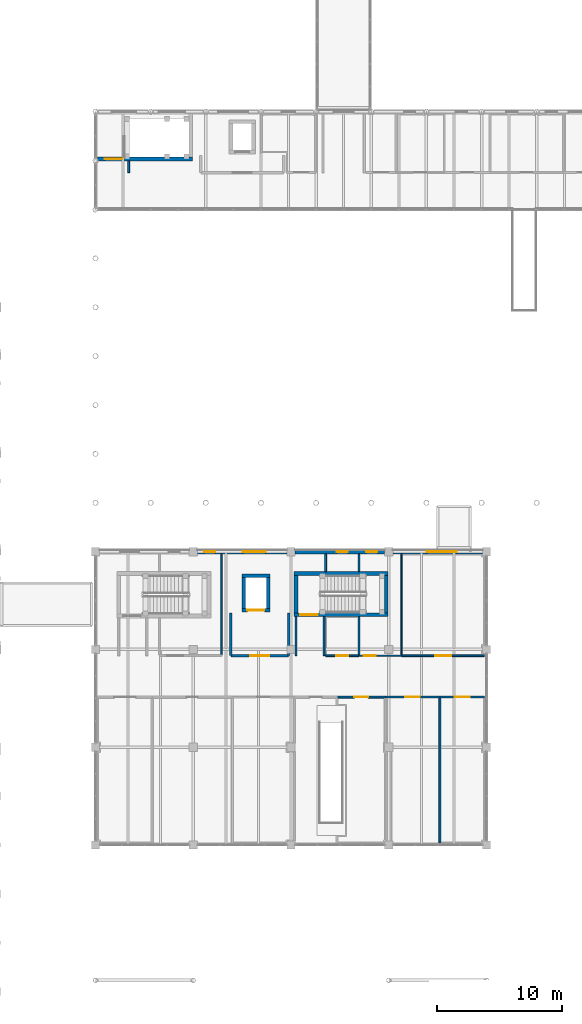
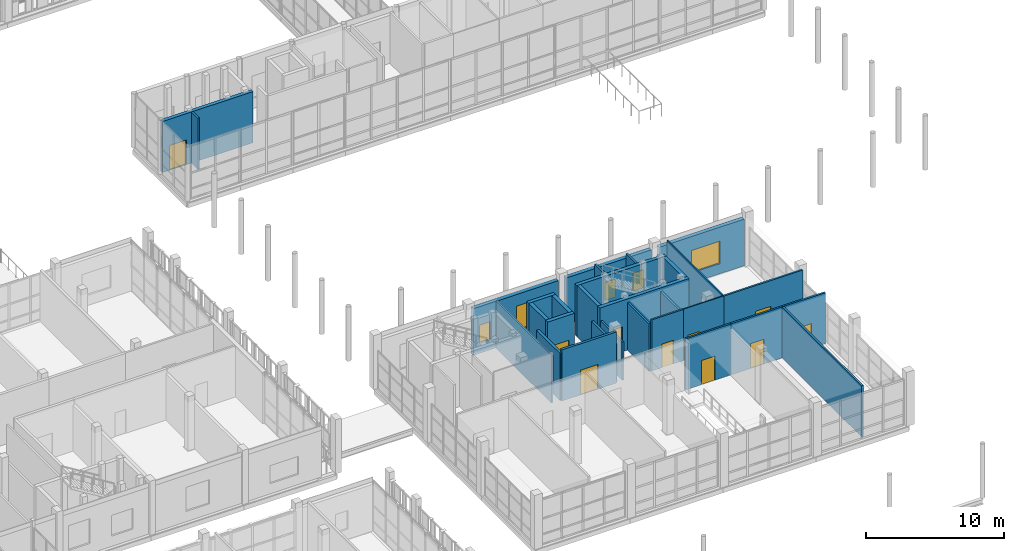
# One storey, part 105 of 138: 30 walls, 10 doors, 5 windows, 15 openings.
"""IFC4 building model written with IfcOpenShell, lengths in metres."""

from ifc_helpers import new_model, si_unit, direction, frame, frame_2d, origin, place, context, subcontext, project, spatial, rectangle, extrude, material, layer, layer_set, type_object, element, fill, save


model = new_model("IFC4")

# Units and contexts
model_context = context("Model", 3, precision=1e-05, world=origin(), true_north=direction((0.0, 1.0)))
body_context = subcontext(model_context, "Body", "Model", "MODEL_VIEW")
ifc_project = project(units=[si_unit("LENGTHUNIT", "METRE"), si_unit("AREAUNIT", "SQUARE_METRE"), si_unit("VOLUMEUNIT", "CUBIC_METRE"), si_unit("PLANEANGLEUNIT", "RADIAN"), si_unit("MASSUNIT", "GRAM", prefix="KILO")], contexts=[model_context])

# Site, building, storey
site_placement = place(None, origin())
site = spatial("IfcSite", under=ifc_project, at=site_placement, CompositionType="ELEMENT")
building_placement = place(site_placement, origin())
building = spatial("IfcBuilding", under=site, at=building_placement, Name="Celorna Specialist Clinic", CompositionType="ELEMENT")
storey_placement = place(building_placement, frame((0.0, 0.0, 4.800048828125)))
storey = spatial("IfcBuildingStorey", under=building, at=storey_placement, Name="L01", CompositionType="ELEMENT", Elevation=4.800048828125)

# Wall, openings, windows
ifc_material_1 = material(Name="Pero Pinheiro Lioz limestone insulated masonry", Category="masonry")
ifc_layer_1 = layer(ifc_material_1, 0.340087890625, Name="Pero Pinheiro Lioz limestone insulated masonry")
ifc_layer_set_1 = layer_set([ifc_layer_1], Name="Pero Pinheiro Lioz limestone insulated masonry")
wall_type_1 = type_object("IfcWallType", Name="WT-07", PredefinedType="STANDARD", material=ifc_layer_set_1)
wall_1_placement = place(storey_placement, frame((62.72509765625, 42.89990234375, 0.0), z_axis=(0.0, 0.0, 1.0), x_axis=(1.0, 0.0, 0.0)))
wall_1 = element("IfcWall", 1, at=wall_1_placement, inside=storey, type_object=wall_type_1, Name="External facade wall WT-07 #388", PredefinedType="STANDARD", context=body_context, shape_type="SweptSolid", body=[
    extrude(rectangle(XDim=7.14990234375, YDim=0.340087890625, at=frame_2d((3.574951171875, 0.0))), origin(), (0.0, 0.0, 1.0), 4.139892578125),
])
opening_1_placement = place(wall_1_placement, frame((0.532470703125, 0.0, 0.89990234375)))
opening_1 = element("IfcOpeningElement", 2, at=opening_1_placement, cuts=wall_1, Name="Opening WN-01", PredefinedType="OPENING", context=body_context, shape_type="SweptSolid", body=[
    extrude(rectangle(XDim=0.89990234375, YDim=1.60009765625, at=frame_2d((0.449951171875, 0.800048828125))), frame((0.0, 0.179931640625, 0.0), z_axis=(0.0, -1.0, 0.0), x_axis=(1.0, 0.0, 0.0)), (0.0, 0.0, 1.0), 0.360107421875),
])
opening_2_placement = place(wall_1_placement, frame((3.637451171875, 0.0, 0.89990234375)))
opening_2 = element("IfcOpeningElement", 3, at=opening_2_placement, cuts=wall_1, Name="Opening WN-14", PredefinedType="OPENING", context=body_context, shape_type="SweptSolid", body=[
    extrude(rectangle(XDim=1.800048828125, YDim=2.199951171875, at=frame_2d((0.89990234375, 1.10009765625))), frame((0.0, 0.179931640625, 0.0), z_axis=(0.0, -1.0, 0.0), x_axis=(1.0, 0.0, 0.0)), (0.0, 0.0, 1.0), 0.360107421875),
])
ifc_material_2 = material(Name="Thermally broken aluminium triple-glazed window", Category="aluminium")
window_type_1 = type_object("IfcWindowType", Name="WN-01", PartitioningType="SINGLE_PANEL", PredefinedType="WINDOW", material=ifc_material_2)
window_1_placement = place(opening_1_placement, origin())
window_1 = element("IfcWindow", 4, at=window_1_placement, inside=storey, type_object=window_type_1, Name="Facade window WN-01 #249", OverallHeight=1.60009765625, OverallWidth=0.89990234375, PartitioningType="SINGLE_PANEL", PredefinedType="WINDOW", context=body_context, shape_type="SweptSolid", body=[
    extrude(rectangle(XDim=0.89990234375, YDim=1.60009765625, at=frame_2d((0.449951171875, 0.800048828125))), frame((0.0, 0.030029296875, 0.0), z_axis=(0.0, -1.0, 0.0), x_axis=(1.0, 0.0, 0.0)), (0.0, 0.0, 1.0), 0.06005859375),
])
fill(opening_1, window_1)
window_type_2 = type_object("IfcWindowType", Name="WN-14", PartitioningType="SINGLE_PANEL", PredefinedType="WINDOW", material=ifc_material_2)
window_2_placement = place(opening_2_placement, origin())
window_2 = element("IfcWindow", 5, at=window_2_placement, inside=storey, type_object=window_type_2, Name="Facade window WN-14 #250", OverallHeight=2.199951171875, OverallWidth=1.800048828125, PartitioningType="SINGLE_PANEL", PredefinedType="WINDOW", context=body_context, shape_type="SweptSolid", body=[
    extrude(rectangle(XDim=1.800048828125, YDim=2.199951171875, at=frame_2d((0.89990234375, 1.10009765625))), frame((0.0, 0.030029296875, 0.0), z_axis=(0.0, -1.0, 0.0), x_axis=(1.0, 0.0, 0.0)), (0.0, 0.0, 1.0), 0.06005859375),
])
fill(opening_2, window_2)

wall_2_placement = place(storey_placement, frame((70.52490234375, 42.89990234375, 0.0), z_axis=(0.0, 0.0, 1.0), x_axis=(1.0, 0.0, 0.0)))
wall_2 = element("IfcWall", 6, at=wall_2_placement, inside=storey, type_object=wall_type_1, Name="External facade wall WT-07 #389", PredefinedType="STANDARD", context=body_context, shape_type="SweptSolid", body=[
    extrude(rectangle(XDim=7.150146484375, YDim=0.340087890625, at=frame_2d((3.5751953125, 0.0))), origin(), (0.0, 0.0, 1.0), 4.139892578125),
])
opening_3_placement = place(wall_2_placement, frame((3.31494140625, 0.0, 0.89990234375)))
opening_3 = element("IfcOpeningElement", 7, at=opening_3_placement, cuts=wall_2, Name="Opening WN-01", PredefinedType="OPENING", context=body_context, shape_type="SweptSolid", body=[
    extrude(rectangle(XDim=0.89990234375, YDim=1.60009765625, at=frame_2d((0.449951171875, 0.800048828125))), frame((0.0, 0.179931640625, 0.0), z_axis=(0.0, -1.0, 0.0), x_axis=(1.0, 0.0, 0.0)), (0.0, 0.0, 1.0), 0.360107421875),
])
opening_4_placement = place(wall_2_placement, frame((5.66259765625, 0.0, 0.89990234375)))
opening_4 = element("IfcOpeningElement", 8, at=opening_4_placement, cuts=wall_2, Name="Opening WN-01", PredefinedType="OPENING", context=body_context, shape_type="SweptSolid", body=[
    extrude(rectangle(XDim=0.89990234375, YDim=1.60009765625, at=frame_2d((0.449951171875, 0.800048828125))), frame((0.0, 0.179931640625, 0.0), z_axis=(0.0, -1.0, 0.0), x_axis=(1.0, 0.0, 0.0)), (0.0, 0.0, 1.0), 0.360107421875),
])
window_3_placement = place(opening_3_placement, origin())
window_3 = element("IfcWindow", 9, at=window_3_placement, inside=storey, type_object=window_type_1, Name="Facade window WN-01 #251", OverallHeight=1.60009765625, OverallWidth=0.89990234375, PartitioningType="SINGLE_PANEL", PredefinedType="WINDOW", context=body_context, shape_type="SweptSolid", body=[
    extrude(rectangle(XDim=0.89990234375, YDim=1.60009765625, at=frame_2d((0.449951171875, 0.800048828125))), frame((0.0, 0.030029296875, 0.0), z_axis=(0.0, -1.0, 0.0), x_axis=(1.0, 0.0, 0.0)), (0.0, 0.0, 1.0), 0.06005859375),
])
fill(opening_3, window_3)
window_4_placement = place(opening_4_placement, origin())
window_4 = element("IfcWindow", 10, at=window_4_placement, inside=storey, type_object=window_type_1, Name="Facade window WN-01 #252", OverallHeight=1.60009765625, OverallWidth=0.89990234375, PartitioningType="SINGLE_PANEL", PredefinedType="WINDOW", context=body_context, shape_type="SweptSolid", body=[
    extrude(rectangle(XDim=0.89990234375, YDim=1.60009765625, at=frame_2d((0.449951171875, 0.800048828125))), frame((0.0, 0.030029296875, 0.0), z_axis=(0.0, -1.0, 0.0), x_axis=(1.0, 0.0, 0.0)), (0.0, 0.0, 1.0), 0.06005859375),
])
fill(opening_4, window_4)

# Wall, opening, window
wall_3_placement = place(storey_placement, frame((78.324951171875, 42.89990234375, 0.0), z_axis=(0.0, 0.0, 1.0), x_axis=(1.0, 0.0, 0.0)))
wall_3 = element("IfcWall", 11, at=wall_3_placement, inside=storey, type_object=wall_type_1, Name="External facade wall WT-07 #390", PredefinedType="STANDARD", context=body_context, shape_type="SweptSolid", body=[
    extrude(rectangle(XDim=7.150146484375, YDim=0.340087890625, at=frame_2d((3.5751953125, 0.0))), origin(), (0.0, 0.0, 1.0), 4.139892578125),
])
opening_5_placement = place(wall_3_placement, frame((2.71240234375, 0.0, 0.89990234375)))
opening_5 = element("IfcOpeningElement", 12, at=opening_5_placement, cuts=wall_3, Name="Opening WN-19", PredefinedType="OPENING", context=body_context, shape_type="SweptSolid", body=[
    extrude(rectangle(XDim=2.39990234375, YDim=2.0, at=frame_2d((1.199951171875, 1.0))), frame((0.0, 0.179931640625, 0.0), z_axis=(0.0, -1.0, 0.0), x_axis=(1.0, 0.0, 0.0)), (0.0, 0.0, 1.0), 0.360107421875),
])
ifc_material_3 = material(Name="Rehabilitation gym daylight window")
window_type_3 = type_object("IfcWindowType", Name="WN-19", PartitioningType="SINGLE_PANEL", PredefinedType="WINDOW", material=ifc_material_3)
window_5_placement = place(opening_5_placement, origin())
window_5 = element("IfcWindow", 13, at=window_5_placement, inside=storey, type_object=window_type_3, Name="Facade window WN-19 #253", OverallHeight=2.0, OverallWidth=2.39990234375, PartitioningType="SINGLE_PANEL", PredefinedType="WINDOW", context=body_context, shape_type="SweptSolid", body=[
    extrude(rectangle(XDim=2.39990234375, YDim=2.0, at=frame_2d((1.199951171875, 1.0))), frame((0.0, 0.030029296875, 0.0), z_axis=(0.0, -1.0, 0.0), x_axis=(1.0, 0.0, 0.0)), (0.0, 0.0, 1.0), 0.06005859375),
])
fill(opening_5, window_5)

# Wall, opening, door
ifc_material_4 = material(Name="Concrete C35/45", Category="concrete")
ifc_layer_2 = layer(ifc_material_4, 0.300048828125, Name="Concrete C35/45")
ifc_layer_set_2 = layer_set([ifc_layer_2], Name="Concrete C35/45")
wall_type_2 = type_object("IfcWallType", Name="WT-08", PredefinedType="SHEAR", material=ifc_layer_set_2)
wall_4_placement = place(storey_placement, frame((70.43994140625, 37.8701171875, 0.0), z_axis=(0.0, 0.0, 1.0), x_axis=(1.0, 0.0, 0.0)))
wall_4 = element("IfcWall", 14, at=wall_4_placement, inside=storey, type_object=wall_type_2, Name="Stair ST-09 RC core wall L01 south", PredefinedType="SHEAR", context=body_context, shape_type="SweptSolid", body=[
    extrude(rectangle(XDim=7.5, YDim=0.300048828125, at=frame_2d((3.75, 0.0))), origin(), (0.0, 0.0, 1.0), 4.5400390625),
])
opening_6_placement = place(wall_4_placement, frame((0.5, 0.0, 0.0)))
opening_6 = element("IfcOpeningElement", 15, at=opening_6_placement, cuts=wall_4, Name="Opening DR-10", PredefinedType="OPENING", context=body_context, shape_type="SweptSolid", body=[
    extrude(rectangle(XDim=1.39990234375, YDim=2.199951171875, at=frame_2d((0.699951171875, 1.10009765625))), frame((0.0, 0.159912109375, 0.0), z_axis=(0.0, -1.0, 0.0), x_axis=(1.0, 0.0, 0.0)), (0.0, 0.0, 1.0), 0.320068359375),
])
ifc_material_5 = material(Name="Protected exit stair fire door")
door_type_1 = type_object("IfcDoorType", Name="DR-10", OperationType="NOTDEFINED", PredefinedType="DOOR", material=ifc_material_5)
door_1_placement = place(opening_6_placement, origin())
door_1 = element("IfcDoor", 16, at=door_1_placement, inside=storey, type_object=door_type_1, Name="Protected exit stair door ST-09 L01", OperationType="SINGLE_SWING_LEFT", OverallHeight=2.199951171875, OverallWidth=1.39990234375, PredefinedType="DOOR", context=body_context, shape_type="SweptSolid", body=[
    extrude(rectangle(XDim=1.39990234375, YDim=2.199951171875, at=frame_2d((0.699951171875, 1.10009765625))), frame((0.0, 0.02490234375, 0.0), z_axis=(0.0, -1.0, 0.0), x_axis=(1.0, 0.0, 0.0)), (0.0, 0.0, 1.0), 0.050048828125),
])
fill(opening_6, door_1)

# Walls
wall_5_placement = place(storey_placement, frame((77.93994140625, 41.169921875, 0.0), z_axis=(0.0, 0.0, 1.0), x_axis=(-1.0, 0.0, 0.0)))
element("IfcWall", 17, at=wall_5_placement, inside=storey, type_object=wall_type_2, Name="Stair ST-09 RC core wall L01 north", PredefinedType="SHEAR", context=body_context, shape_type="SweptSolid", body=[
    extrude(rectangle(XDim=7.5, YDim=0.300048828125, at=frame_2d((3.75, 0.0))), origin(), (0.0, 0.0, 1.0), 4.5400390625),
])
for number, where, z_axis, x_axis, name in (
    (18, (70.590087890625, 41.02001953125, 0.0), (0.0, 0.0, 1.0), (0.0, -1.0, 0.0), "Stair ST-09 RC core wall L01 west"),
    (19, (77.7900390625, 38.02001953125, 0.0), (0.0, 0.0, 1.0), (0.0, 1.0, 0.0), "Stair ST-09 RC core wall L01 east"),
):
    element("IfcWall", number, at=place(storey_placement, frame(where, z_axis=z_axis, x_axis=x_axis)), inside=storey, type_object=wall_type_2, Name=name, PredefinedType="SHEAR", context=body_context, shape_type="SweptSolid", body=[
        extrude(rectangle(XDim=3.0, YDim=0.300048828125, at=frame_2d((1.5, 0.0))), origin(), (0.0, 0.0, 1.0), 4.5400390625),
    ])

# Wall, opening, door
wall_6_placement = place(storey_placement, frame((54.75, 74.22998046875, 0.0), z_axis=(0.0, 0.0, 1.0), x_axis=(1.0, 0.0, 0.0)))
wall_6 = element("IfcWall", 20, at=wall_6_placement, inside=storey, type_object=wall_type_2, Name="Stair ST-10 RC core wall L01 south", PredefinedType="SHEAR", context=body_context, shape_type="SweptSolid", body=[
    extrude(rectangle(XDim=7.590087890625, YDim=0.300048828125, at=frame_2d((3.794921875, 0.0))), origin(), (0.0, 0.0, 1.0), 4.5400390625),
])
opening_7_placement = place(wall_6_placement, frame((0.590087890625, 0.0, 0.0)))
opening_7 = element("IfcOpeningElement", 21, at=opening_7_placement, cuts=wall_6, Name="Opening DR-10", PredefinedType="OPENING", context=body_context, shape_type="SweptSolid", body=[
    extrude(rectangle(XDim=1.39990234375, YDim=2.199951171875, at=frame_2d((0.699951171875, 1.10009765625))), frame((0.0, 0.159912109375, 0.0), z_axis=(0.0, -1.0, 0.0), x_axis=(1.0, 0.0, 0.0)), (0.0, 0.0, 1.0), 0.320068359375),
])
door_2_placement = place(opening_7_placement, origin())
door_2 = element("IfcDoor", 22, at=door_2_placement, inside=storey, type_object=door_type_1, Name="Protected exit stair door ST-10 L01", OperationType="SINGLE_SWING_LEFT", OverallHeight=2.199951171875, OverallWidth=1.39990234375, PredefinedType="DOOR", context=body_context, shape_type="SweptSolid", body=[
    extrude(rectangle(XDim=1.39990234375, YDim=2.199951171875, at=frame_2d((0.699951171875, 1.10009765625))), frame((0.0, 0.02490234375, 0.0), z_axis=(0.0, -1.0, 0.0), x_axis=(1.0, 0.0, 0.0)), (0.0, 0.0, 1.0), 0.050048828125),
])
fill(opening_7, door_2)

wall_7_placement = place(storey_placement, frame((66.27490234375, 38.22509765625, 0.0), z_axis=(0.0, 0.0, 1.0), x_axis=(1.0, 0.0, 0.0)))
wall_7 = element("IfcWall", 23, at=wall_7_placement, inside=storey, type_object=wall_type_2, Name="Lift LF-07 RC shaft wall L01", PredefinedType="SHEAR", context=body_context, shape_type="SweptSolid", body=[
    extrude(rectangle(XDim=2.25, YDim=0.300048828125, at=frame_2d((1.125, 0.0))), origin(), (0.0, 0.0, 1.0), 4.5400390625),
])
opening_8_placement = place(wall_7_placement, frame((0.449951171875, 0.0, 0.0)))
opening_8 = element("IfcOpeningElement", 24, at=opening_8_placement, cuts=wall_7, Name="Opening LD-02", PredefinedType="OPENING", context=body_context, shape_type="SweptSolid", body=[
    extrude(rectangle(XDim=1.35009765625, YDim=2.300048828125, at=frame_2d((0.675048828125, 1.14990234375))), frame((0.0, 0.159912109375, 0.0), z_axis=(0.0, -1.0, 0.0), x_axis=(1.0, 0.0, 0.0)), (0.0, 0.0, 1.0), 0.320068359375),
])
ifc_material_6 = material(Name="Firefighting stretcher lift landing sliding door")
door_type_2 = type_object("IfcDoorType", Name="LD-02", OperationType="DOUBLE_DOOR_SLIDING", PredefinedType="DOOR", material=ifc_material_6)
door_3_placement = place(opening_8_placement, origin())
door_3 = element("IfcDoor", 25, at=door_3_placement, inside=storey, type_object=door_type_2, Name="Lift LF-07 sliding landing door L01", OperationType="DOUBLE_DOOR_SLIDING", OverallHeight=2.300048828125, OverallWidth=1.35009765625, PredefinedType="DOOR", context=body_context, shape_type="SweptSolid", body=[
    extrude(rectangle(XDim=1.35009765625, YDim=2.300048828125, at=frame_2d((0.675048828125, 1.14990234375))), frame((0.0, 0.02490234375, 0.0), z_axis=(0.0, -1.0, 0.0), x_axis=(1.0, 0.0, 0.0)), (0.0, 0.0, 1.0), 0.050048828125),
])
fill(opening_8, door_3)

# Walls
wall_8_placement = place(storey_placement, frame((68.52490234375, 40.97509765625, 0.0), z_axis=(0.0, 0.0, 1.0), x_axis=(-1.0, 0.0, 0.0)))
element("IfcWall", 26, at=wall_8_placement, inside=storey, type_object=wall_type_2, Name="Lift LF-07 RC shaft wall L01", PredefinedType="SHEAR", context=body_context, shape_type="SweptSolid", body=[
    extrude(rectangle(XDim=2.25, YDim=0.300048828125, at=frame_2d((1.125, 0.0))), origin(), (0.0, 0.0, 1.0), 4.5400390625),
])
for number, where, z_axis, x_axis, name in (
    (27, (66.425048828125, 40.824951171875, 0.0), (0.0, 0.0, 1.0), (0.0, -1.0, 0.0), "Lift LF-07 RC shaft wall L01"),
    (28, (68.375, 38.375, 0.0), (0.0, 0.0, 1.0), (0.0, 1.0, 0.0), "Lift LF-07 RC shaft wall L01"),
):
    element("IfcWall", number, at=place(storey_placement, frame(where, z_axis=z_axis, x_axis=x_axis)), inside=storey, type_object=wall_type_2, Name=name, PredefinedType="SHEAR", context=body_context, shape_type="SweptSolid", body=[
        extrude(rectangle(XDim=2.449951171875, YDim=0.300048828125, at=frame_2d((1.22509765625, 0.0))), origin(), (0.0, 0.0, 1.0), 4.5400390625),
    ])

# Wall, opening, door
ifc_layer_3 = layer(ifc_material_4, 0.199951171875, Name="Concrete C35/45")
ifc_layer_set_3 = layer_set([ifc_layer_3], Name="Concrete C35/45")
wall_type_3 = type_object("IfcWallType", Name="WT-12", PredefinedType="SOLIDWALL", material=ifc_layer_set_3)
wall_9_placement = place(storey_placement, frame((65.39990234375, 34.60009765625, 0.0), z_axis=(0.0, 0.0, 1.0), x_axis=(1.0, 0.0, 0.0)))
wall_9 = element("IfcWall", 29, at=wall_9_placement, inside=storey, type_object=wall_type_3, Name="Firefighting lobby wall LF-07 L01", PredefinedType="SOLIDWALL", context=body_context, shape_type="SweptSolid", body=[
    extrude(rectangle(XDim=4.60009765625, YDim=0.199951171875, at=frame_2d((2.300048828125, 0.0))), origin(), (0.0, 0.0, 1.0), 4.5400390625),
])
opening_9_placement = place(wall_9_placement, frame((1.550048828125, 0.0, 0.0)))
opening_9 = element("IfcOpeningElement", 30, at=opening_9_placement, cuts=wall_9, Name="Opening DR-11", PredefinedType="OPENING", context=body_context, shape_type="SweptSolid", body=[
    extrude(rectangle(XDim=1.5, YDim=2.199951171875, at=frame_2d((0.75, 1.10009765625))), frame((0.0, 0.10986328125, 0.0), z_axis=(0.0, -1.0, 0.0), x_axis=(1.0, 0.0, 0.0)), (0.0, 0.0, 1.0), 0.219970703125),
])
ifc_material_7 = material(Name="Firefighting lobby double fire door")
door_type_3 = type_object("IfcDoorType", Name="DR-11", OperationType="DOUBLE_DOOR_SINGLE_SWING", PredefinedType="DOOR", material=ifc_material_7)
door_4_placement = place(opening_9_placement, origin())
door_4 = element("IfcDoor", 31, at=door_4_placement, inside=storey, type_object=door_type_3, Name="Firefighting lobby fire door LF-07 L01", OperationType="DOUBLE_DOOR_SINGLE_SWING", OverallHeight=2.199951171875, OverallWidth=1.5, PredefinedType="DOOR", context=body_context, shape_type="SweptSolid", body=[
    extrude(rectangle(XDim=1.5, YDim=2.199951171875, at=frame_2d((0.75, 1.10009765625))), frame((0.0, 0.02490234375, 0.0), z_axis=(0.0, -1.0, 0.0), x_axis=(1.0, 0.0, 0.0)), (0.0, 0.0, 1.0), 0.050048828125),
])
fill(opening_9, door_4)

# Walls
wall_10_placement = place(storey_placement, frame((65.39990234375, 38.0, 0.0), z_axis=(0.0, 0.0, 1.0), x_axis=(0.0, -1.0, 0.0)))
element("IfcWall", 32, at=wall_10_placement, inside=storey, type_object=wall_type_3, Name="Firefighting lobby wall LF-07 L01", PredefinedType="SOLIDWALL", context=body_context, shape_type="SweptSolid", body=[
    extrude(rectangle(XDim=3.39990234375, YDim=0.199951171875, at=frame_2d((1.699951171875, 0.0))), origin(), (0.0, 0.0, 1.0), 4.2099609375),
])
wall_11_placement = place(storey_placement, frame((70.0, 34.60009765625, 0.0), z_axis=(0.0, 0.0, 1.0), x_axis=(0.0, 1.0, 0.0)))
element("IfcWall", 33, at=wall_11_placement, inside=storey, type_object=wall_type_3, Name="Firefighting lobby wall LF-07 L01", PredefinedType="SOLIDWALL", context=body_context, shape_type="SweptSolid", body=[
    extrude(rectangle(XDim=3.39990234375, YDim=0.199951171875, at=frame_2d((1.699951171875, 0.0))), origin(), (0.0, 0.0, 1.0), 3.389892578125),
])
ifc_material_8 = material(Name="Fire-rated gypsum board partition")
ifc_layer_4 = layer(ifc_material_8, 0.14990234375, Name="Fire-rated gypsum board partition")
ifc_layer_set_4 = layer_set([ifc_layer_4], Name="Fire-rated gypsum board partition")
wall_type_4 = type_object("IfcWallType", Name="WT-14", PredefinedType="PARTITIONING", material=ifc_layer_set_4)
wall_12_placement = place(storey_placement, frame((57.239990234375, 73.14990234375, 0.0), z_axis=(0.0, 0.0, 1.0), x_axis=(0.0, 1.0, 0.0)))
element("IfcWall", 34, at=wall_12_placement, inside=storey, type_object=wall_type_4, Name="Corridor spur partition WT-14", PredefinedType="PARTITIONING", context=body_context, shape_type="SweptSolid", body=[
    extrude(rectangle(XDim=0.93017578125, YDim=0.14990234375, at=frame_2d((0.465087890625, 0.0))), origin(), (0.0, 0.0, 1.0), 4.5400390625),
])
wall_13_placement = place(storey_placement, frame((70.590087890625, 34.60009765625, 0.0), z_axis=(0.0, 0.0, 1.0), x_axis=(0.0, 1.0, 0.0)))
element("IfcWall", 35, at=wall_13_placement, inside=storey, type_object=wall_type_4, Name="Corridor spur partition WT-14", PredefinedType="PARTITIONING", context=body_context, shape_type="SweptSolid", body=[
    extrude(rectangle(XDim=3.119873046875, YDim=0.14990234375, at=frame_2d((1.56005859375, 0.0))), origin(), (0.0, 0.0, 1.0), 3.389892578125),
])
wall_14_placement = place(storey_placement, frame((72.840087890625, 34.60009765625, 0.0), z_axis=(0.0, 0.0, 1.0), x_axis=(0.0, 1.0, 0.0)))
element("IfcWall", 36, at=wall_14_placement, inside=storey, type_object=wall_type_4, Name="Corridor spur partition WT-14", PredefinedType="PARTITIONING", context=body_context, shape_type="SweptSolid", body=[
    extrude(rectangle(XDim=3.119873046875, YDim=0.14990234375, at=frame_2d((1.56005859375, 0.0))), origin(), (0.0, 0.0, 1.0), 4.2099609375),
])

# Wall, opening, door
wall_15_placement = place(storey_placement, frame((77.719970703125, 31.300048828125, 0.0), z_axis=(0.0, 0.0, 1.0), x_axis=(-1.0, 0.0, 0.0)))
wall_15 = element("IfcWall", 37, at=wall_15_placement, inside=storey, type_object=wall_type_4, Name="Interior partition WT-14 L01-110", PredefinedType="PARTITIONING", context=body_context, shape_type="SweptSolid", body=[
    extrude(rectangle(XDim=3.849853515625, YDim=0.14990234375, at=frame_2d((1.9248046875, 0.0))), origin(), (0.0, 0.0, 1.0), 4.5400390625),
])
opening_10_placement = place(wall_15_placement, frame((1.375, 0.0, 0.0)))
opening_10 = element("IfcOpeningElement", 38, at=opening_10_placement, cuts=wall_15, Name="Opening DR-06", PredefinedType="OPENING", context=body_context, shape_type="SweptSolid", body=[
    extrude(rectangle(XDim=1.10009765625, YDim=2.14990234375, at=frame_2d((0.550048828125, 1.074951171875))), frame((0.0, 0.0849609375, 0.0), z_axis=(0.0, -1.0, 0.0), x_axis=(1.0, 0.0, 0.0)), (0.0, 0.0, 1.0), 0.169921875),
])
ifc_material_9 = material(Name="Clinical treatment suite door")
door_type_4 = type_object("IfcDoorType", Name="DR-06", OperationType="NOTDEFINED", PredefinedType="DOOR", material=ifc_material_9)
door_5_placement = place(opening_10_placement, origin())
door_5 = element("IfcDoor", 39, at=door_5_placement, inside=storey, type_object=door_type_4, Name="Clinical Trials Reception Suite door L01-110", OperationType="SINGLE_SWING_LEFT", OverallHeight=2.14990234375, OverallWidth=1.10009765625, PredefinedType="DOOR", context=body_context, shape_type="SweptSolid", body=[
    extrude(rectangle(XDim=1.10009765625, YDim=2.14990234375, at=frame_2d((0.550048828125, 1.074951171875))), frame((0.0, 0.02490234375, 0.0), z_axis=(0.0, -1.0, 0.0), x_axis=(1.0, 0.0, 0.0)), (0.0, 0.0, 1.0), 0.050048828125),
])
fill(opening_10, door_5)

wall_16_placement = place(storey_placement, frame((82.070068359375, 31.300048828125, 0.0), z_axis=(0.0, 0.0, 1.0), x_axis=(-1.0, 0.0, 0.0)))
wall_16 = element("IfcWall", 40, at=wall_16_placement, inside=storey, type_object=wall_type_4, Name="Interior partition WT-14 L01-111", PredefinedType="PARTITIONING", context=body_context, shape_type="SweptSolid", body=[
    extrude(rectangle(XDim=4.35009765625, YDim=0.14990234375, at=frame_2d((2.175048828125, 0.0))), origin(), (0.0, 0.0, 1.0), 4.5400390625),
])
opening_11_placement = place(wall_16_placement, frame((1.60009765625, 0.0, 0.0)))
opening_11 = element("IfcOpeningElement", 41, at=opening_11_placement, cuts=wall_16, Name="Opening DR-07", PredefinedType="OPENING", context=body_context, shape_type="SweptSolid", body=[
    extrude(rectangle(XDim=1.14990234375, YDim=2.199951171875, at=frame_2d((0.574951171875, 1.10009765625))), frame((0.0, 0.0849609375, 0.0), z_axis=(0.0, -1.0, 0.0), x_axis=(1.0, 0.0, 0.0)), (0.0, 0.0, 1.0), 0.169921875),
])
ifc_material_10 = material(Name="Hermetic cleanroom airlock door")
door_type_5 = type_object("IfcDoorType", Name="DR-07", OperationType="NOTDEFINED", PredefinedType="DOOR", material=ifc_material_10)
door_6_placement = place(opening_11_placement, origin())
door_6 = element("IfcDoor", 42, at=door_6_placement, inside=storey, type_object=door_type_5, Name="Medical Library and Reading Room door L01-111", OperationType="SINGLE_SWING_RIGHT", OverallHeight=2.199951171875, OverallWidth=1.14990234375, PredefinedType="DOOR", context=body_context, shape_type="SweptSolid", body=[
    extrude(rectangle(XDim=1.14990234375, YDim=2.199951171875, at=frame_2d((0.574951171875, 1.10009765625))), frame((0.0, 0.02490234375, 0.0), z_axis=(0.0, -1.0, 0.0), x_axis=(1.0, 0.0, 0.0)), (0.0, 0.0, 1.0), 0.050048828125),
])
fill(opening_11, door_6)

wall_17_placement = place(storey_placement, frame((85.6298828125, 31.300048828125, 0.0), z_axis=(0.0, 0.0, 1.0), x_axis=(-1.0, 0.0, 0.0)))
wall_17 = element("IfcWall", 43, at=wall_17_placement, inside=storey, type_object=wall_type_4, Name="Interior partition WT-14 L01-112", PredefinedType="PARTITIONING", context=body_context, shape_type="SweptSolid", body=[
    extrude(rectangle(XDim=3.559814453125, YDim=0.14990234375, at=frame_2d((1.77978515625, 0.0))), origin(), (0.0, 0.0, 1.0), 4.5400390625),
])
opening_12_placement = place(wall_17_placement, frame((1.179931640625, 0.0, 0.0)))
opening_12 = element("IfcOpeningElement", 44, at=opening_12_placement, cuts=wall_17, Name="Opening DR-08", PredefinedType="OPENING", context=body_context, shape_type="SweptSolid", body=[
    extrude(rectangle(XDim=1.199951171875, YDim=2.199951171875, at=frame_2d((0.60009765625, 1.10009765625))), frame((0.0, 0.0849609375, 0.0), z_axis=(0.0, -1.0, 0.0), x_axis=(1.0, 0.0, 0.0)), (0.0, 0.0, 1.0), 0.169921875),
])
ifc_material_11 = material(Name="Stretcher-width clinical door")
door_type_6 = type_object("IfcDoorType", Name="DR-08", OperationType="NOTDEFINED", PredefinedType="DOOR", material=ifc_material_11)
door_7_placement = place(opening_12_placement, origin())
door_7 = element("IfcDoor", 45, at=door_7_placement, inside=storey, type_object=door_type_6, Name="Clinical Trials Reception Suite door L01-112", OperationType="SINGLE_SWING_LEFT", OverallHeight=2.199951171875, OverallWidth=1.199951171875, PredefinedType="DOOR", context=body_context, shape_type="SweptSolid", body=[
    extrude(rectangle(XDim=1.199951171875, YDim=2.199951171875, at=frame_2d((0.60009765625, 1.10009765625))), frame((0.0, 0.02490234375, 0.0), z_axis=(0.0, -1.0, 0.0), x_axis=(1.0, 0.0, 0.0)), (0.0, 0.0, 1.0), 0.050048828125),
])
fill(opening_12, door_7)

wall_18_placement = place(storey_placement, frame((72.9599609375, 34.60009765625, 0.0), z_axis=(0.0, 0.0, 1.0), x_axis=(1.0, 0.0, 0.0)))
wall_18 = element("IfcWall", 46, at=wall_18_placement, inside=storey, type_object=wall_type_4, Name="Interior partition WT-14 L01-114", PredefinedType="PARTITIONING", context=body_context, shape_type="SweptSolid", body=[
    extrude(rectangle(XDim=2.66015625, YDim=0.14990234375, at=frame_2d((1.330078125, 0.0))), origin(), (0.0, 0.0, 1.0), 4.5400390625),
])
opening_13_placement = place(wall_18_placement, frame((0.85498046875, 0.0, 0.0)))
opening_13 = element("IfcOpeningElement", 47, at=opening_13_placement, cuts=wall_18, Name="Opening DR-03", PredefinedType="OPENING", context=body_context, shape_type="SweptSolid", body=[
    extrude(rectangle(XDim=0.949951171875, YDim=2.10009765625, at=frame_2d((0.47509765625, 1.050048828125))), frame((0.0, 0.0849609375, 0.0), z_axis=(0.0, -1.0, 0.0), x_axis=(1.0, 0.0, 0.0)), (0.0, 0.0, 1.0), 0.169921875),
])
ifc_material_12 = material(Name="Moisture-resistant accessible WC door")
door_type_7 = type_object("IfcDoorType", Name="DR-03", OperationType="NOTDEFINED", PredefinedType="DOOR", material=ifc_material_12)
door_8_placement = place(opening_13_placement, origin())
door_8 = element("IfcDoor", 48, at=door_8_placement, inside=storey, type_object=door_type_7, Name="Accessible WC door L01-114", OperationType="SINGLE_SWING_LEFT", OverallHeight=2.10009765625, OverallWidth=0.949951171875, PredefinedType="DOOR", context=body_context, shape_type="SweptSolid", body=[
    extrude(rectangle(XDim=0.949951171875, YDim=2.10009765625, at=frame_2d((0.47509765625, 1.050048828125))), frame((0.0, 0.02490234375, 0.0), z_axis=(0.0, -1.0, 0.0), x_axis=(1.0, 0.0, 0.0)), (0.0, 0.0, 1.0), 0.050048828125),
])
fill(opening_13, door_8)

wall_19_placement = place(storey_placement, frame((79.02001953125, 34.60009765625, 0.0), z_axis=(0.0, 0.0, 1.0), x_axis=(1.0, 0.0, 0.0)))
wall_19 = element("IfcWall", 49, at=wall_19_placement, inside=storey, type_object=wall_type_4, Name="Interior partition WT-14 L01-116", PredefinedType="PARTITIONING", context=body_context, shape_type="SweptSolid", body=[
    extrude(rectangle(XDim=6.60986328125, YDim=0.14990234375, at=frame_2d((3.304931640625, 0.0))), origin(), (0.0, 0.0, 1.0), 4.5400390625),
])
opening_14_placement = place(wall_19_placement, frame((2.6650390625, 0.0, 0.0)))
opening_14 = element("IfcOpeningElement", 50, at=opening_14_placement, cuts=wall_19, Name="Opening DR-22", PredefinedType="OPENING", context=body_context, shape_type="SweptSolid", body=[
    extrude(rectangle(XDim=1.280029296875, YDim=2.25, at=frame_2d((0.64013671875, 1.125))), frame((0.0, 0.0849609375, 0.0), z_axis=(0.0, -1.0, 0.0), x_axis=(1.0, 0.0, 0.0)), (0.0, 0.0, 1.0), 0.169921875),
])
ifc_material_13 = material(Name="Diagnostic procedure room door")
door_type_8 = type_object("IfcDoorType", Name="DR-22", OperationType="NOTDEFINED", PredefinedType="DOOR", material=ifc_material_13)
door_9_placement = place(opening_14_placement, origin())
door_9 = element("IfcDoor", 51, at=door_9_placement, inside=storey, type_object=door_type_8, Name="Medical Library and Reading Room door L01-116", OperationType="SINGLE_SWING_LEFT", OverallHeight=2.25, OverallWidth=1.280029296875, PredefinedType="DOOR", context=body_context, shape_type="SweptSolid", body=[
    extrude(rectangle(XDim=1.280029296875, YDim=2.25, at=frame_2d((0.64013671875, 1.125))), frame((0.0, 0.02490234375, 0.0), z_axis=(0.0, -1.0, 0.0), x_axis=(1.0, 0.0, 0.0)), (0.0, 0.0, 1.0), 0.050048828125),
])
fill(opening_14, door_9)

# Walls
wall_20_placement = place(storey_placement, frame((82.070068359375, 19.669921875, 0.0), z_axis=(0.0, 0.0, 1.0), x_axis=(0.0, 1.0, 0.0)))
element("IfcWall", 52, at=wall_20_placement, inside=storey, type_object=wall_type_4, Name="Room dividing partition WT-14 L01-111", PredefinedType="PARTITIONING", context=body_context, shape_type="SweptSolid", body=[
    extrude(rectangle(XDim=11.55517578125, YDim=0.14990234375, at=frame_2d((5.777587890625, 0.0))), origin(), (0.0, 0.0, 1.0), 4.5400390625),
])
wall_21_placement = place(storey_placement, frame((72.9599609375, 41.320068359375, 0.0), z_axis=(0.0, 0.0, 1.0), x_axis=(0.0, 1.0, 0.0)))
element("IfcWall", 53, at=wall_21_placement, inside=storey, type_object=wall_type_4, Name="Room dividing partition WT-14 L01-114", PredefinedType="PARTITIONING", context=body_context, shape_type="SweptSolid", body=[
    extrude(rectangle(XDim=1.409912109375, YDim=0.14990234375, at=frame_2d((0.705078125, 0.0))), origin(), (0.0, 0.0, 1.0), 4.5400390625),
])
wall_22_placement = place(storey_placement, frame((75.6201171875, 34.675048828125, 0.0), z_axis=(0.0, 0.0, 1.0), x_axis=(0.0, 1.0, 0.0)))
element("IfcWall", 54, at=wall_22_placement, inside=storey, type_object=wall_type_4, Name="Room dividing partition WT-14 L01-114", PredefinedType="PARTITIONING", context=body_context, shape_type="SweptSolid", body=[
    extrude(rectangle(XDim=3.044921875, YDim=0.14990234375, at=frame_2d((1.5224609375, 0.0))), origin(), (0.0, 0.0, 1.0), 4.2099609375),
])
wall_23_placement = place(storey_placement, frame((75.6201171875, 41.320068359375, 0.0), z_axis=(0.0, 0.0, 1.0), x_axis=(0.0, 1.0, 0.0)))
element("IfcWall", 55, at=wall_23_placement, inside=storey, type_object=wall_type_4, Name="Room dividing partition WT-14 L01-114", PredefinedType="PARTITIONING", context=body_context, shape_type="SweptSolid", body=[
    extrude(rectangle(XDim=1.409912109375, YDim=0.14990234375, at=frame_2d((0.705078125, 0.0))), origin(), (0.0, 0.0, 1.0), 4.5400390625),
])
ifc_material_14 = material(Name="Acoustic gypsum board partition")
ifc_layer_5 = layer(ifc_material_14, 0.1201171875, Name="Acoustic gypsum board partition")
ifc_layer_set_5 = layer_set([ifc_layer_5], Name="Acoustic gypsum board partition")
wall_type_5 = type_object("IfcWallType", Name="WT-15", PredefinedType="PARTITIONING", material=ifc_layer_set_5)
wall_24_placement = place(storey_placement, frame((64.669921875, 34.659912109375, 0.0), z_axis=(0.0, 0.0, 1.0), x_axis=(0.0, 1.0, 0.0)))
element("IfcWall", 56, at=wall_24_placement, inside=storey, type_object=wall_type_5, Name="Room dividing partition WT-15 L01-113", PredefinedType="PARTITIONING", context=body_context, shape_type="SweptSolid", body=[
    extrude(rectangle(XDim=8.070068359375, YDim=0.1201171875, at=frame_2d((4.03515625, 0.0))), origin(), (0.0, 0.0, 1.0), 4.2099609375),
])

# Wall, opening, door
ifc_material_15 = material(Name="Moisture-resistant gypsum partition")
ifc_layer_6 = layer(ifc_material_15, 0.10009765625, Name="Moisture-resistant gypsum partition")
ifc_layer_set_6 = layer_set([ifc_layer_6], Name="Moisture-resistant gypsum partition")
wall_type_6 = type_object("IfcWallType", Name="WT-16", PredefinedType="PARTITIONING", material=ifc_layer_set_6)
wall_25_placement = place(storey_placement, frame((75.6201171875, 34.60009765625, 0.0), z_axis=(0.0, 0.0, 1.0), x_axis=(1.0, 0.0, 0.0)))
wall_25 = element("IfcWall", 57, at=wall_25_placement, inside=storey, type_object=wall_type_6, Name="Interior partition WT-16 L01-115", PredefinedType="PARTITIONING", context=body_context, shape_type="SweptSolid", body=[
    extrude(rectangle(XDim=3.39990234375, YDim=0.10009765625, at=frame_2d((1.699951171875, 0.0))), origin(), (0.0, 0.0, 1.0), 4.5400390625),
])
opening_15_placement = place(wall_25_placement, frame((0.375, 0.0, 0.0)))
opening_15 = element("IfcOpeningElement", 58, at=opening_15_placement, cuts=wall_25, Name="Opening DR-03", PredefinedType="OPENING", context=body_context, shape_type="SweptSolid", body=[
    extrude(rectangle(XDim=0.949951171875, YDim=2.10009765625, at=frame_2d((0.47509765625, 1.050048828125))), frame((0.0, 0.06005859375, 0.0), z_axis=(0.0, -1.0, 0.0), x_axis=(1.0, 0.0, 0.0)), (0.0, 0.0, 1.0), 0.1201171875),
])
door_10_placement = place(opening_15_placement, origin())
door_10 = element("IfcDoor", 59, at=door_10_placement, inside=storey, type_object=door_type_7, Name="Staff WC door L01-115", OperationType="SINGLE_SWING_RIGHT", OverallHeight=2.10009765625, OverallWidth=0.949951171875, PredefinedType="DOOR", context=body_context, shape_type="SweptSolid", body=[
    extrude(rectangle(XDim=0.949951171875, YDim=2.10009765625, at=frame_2d((0.47509765625, 1.050048828125))), frame((0.0, 0.02490234375, 0.0), z_axis=(0.0, -1.0, 0.0), x_axis=(1.0, 0.0, 0.0)), (0.0, 0.0, 1.0), 0.050048828125),
])
fill(opening_15, door_10)

# Wall
wall_26_placement = place(storey_placement, frame((79.02001953125, 34.675048828125, 0.0), z_axis=(0.0, 0.0, 1.0), x_axis=(0.0, 1.0, 0.0)))
element("IfcWall", 60, at=wall_26_placement, inside=storey, type_object=wall_type_6, Name="Room dividing partition WT-16 L01-115", PredefinedType="PARTITIONING", context=body_context, shape_type="SweptSolid", body=[
    extrude(rectangle(XDim=8.054931640625, YDim=0.10009765625, at=frame_2d((4.02734375, 0.0))), origin(), (0.0, 0.0, 1.0), 4.5400390625),
])

save(model, "model.ifc")
